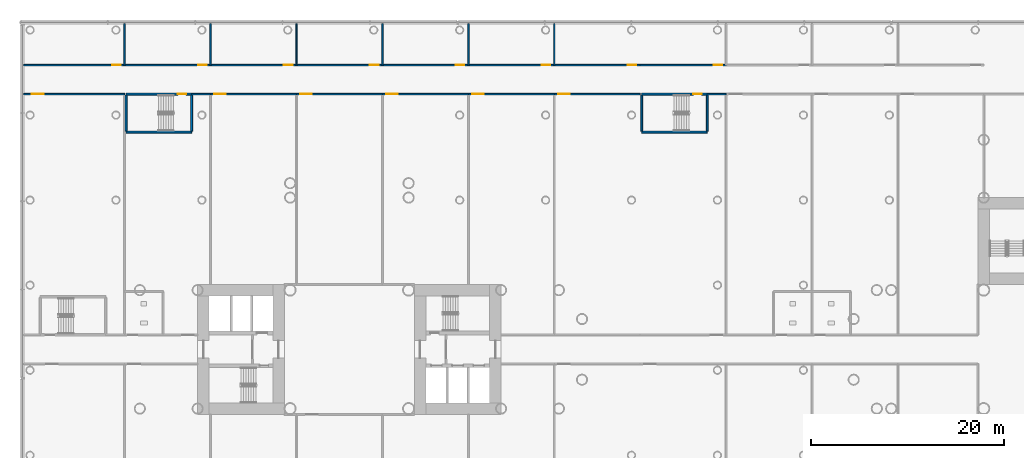
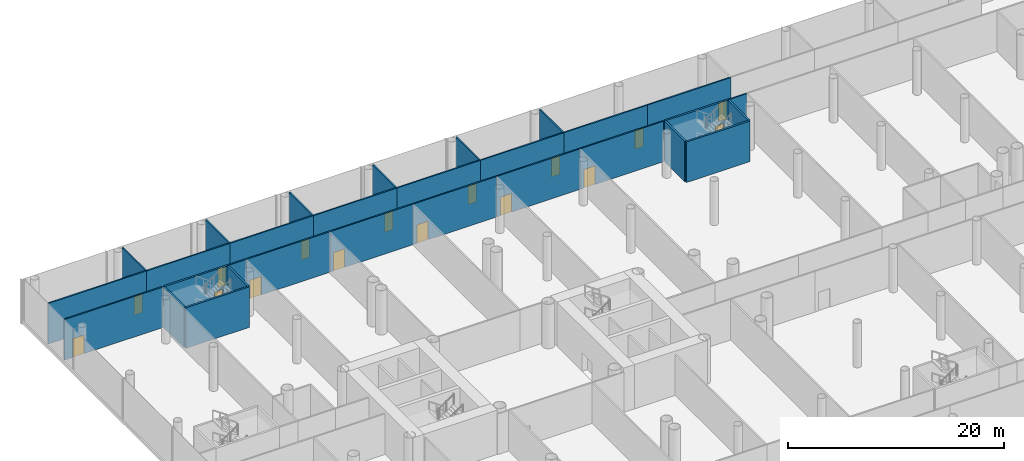
# One storey, part 23 of 59: 30 walls, 16 doors, 16 openings.
"""IFC4 building model written with IfcOpenShell, lengths in metres."""

from ifc_helpers import new_model, si_unit, direction, frame, frame_2d, origin, place, context, subcontext, project, spatial, rectangle, extrude, material, layer, layer_set, type_object, element, fill, save


model = new_model("IFC4")

# Units and contexts
model_context = context("Model", 3, precision=1e-05, world=origin(), true_north=direction((0.0, 1.0)))
body_context = subcontext(model_context, "Body", "Model", "MODEL_VIEW")
ifc_project = project(units=[si_unit("LENGTHUNIT", "METRE"), si_unit("AREAUNIT", "SQUARE_METRE"), si_unit("VOLUMEUNIT", "CUBIC_METRE"), si_unit("PLANEANGLEUNIT", "RADIAN"), si_unit("MASSUNIT", "GRAM", prefix="KILO")], contexts=[model_context])

# Site, building, storey
site_placement = place(None, origin())
site = spatial("IfcSite", under=ifc_project, at=site_placement, CompositionType="ELEMENT")
building_placement = place(site_placement, origin())
building = spatial("IfcBuilding", under=site, at=building_placement, Name="Ipe Terrace Towers", CompositionType="ELEMENT")
storey_placement = place(building_placement, frame((0.0, 0.0, 6.0)))
storey = spatial("IfcBuildingStorey", under=building, at=storey_placement, Name="L01", CompositionType="ELEMENT", Elevation=6.0)

# Wall, opening, door
ifc_material_1 = material(Name="Gypsum board partition", Category="plasterboard")
ifc_layer_1 = layer(ifc_material_1, 0.14990234375)
ifc_layer_set_1 = layer_set([ifc_layer_1], Name="Gypsum board partition 150 mm")
wall_type_1 = type_object("IfcWallType", Name="Gypsum board partition 150 mm", PredefinedType="PARTITIONING", material=ifc_layer_set_1)
wall_1_placement = place(storey_placement, frame((-69.85009765625, 26.5, 0.0), z_axis=(0.0, 0.0, 1.0), x_axis=(1.0, 0.0, 0.0)))
wall_1 = element("IfcWall", 1, at=wall_1_placement, inside=storey, type_object=wall_type_1, Name="Gypsum board partition T1 L01 pd-r2-w7", PredefinedType="PARTITIONING", context=body_context, shape_type="SweptSolid", body=[
    extrude(rectangle(XDim=10.52001953125, YDim=0.14990234375, at=frame_2d((5.260009765625, 0.0))), origin(), (0.0, 0.0, 1.0), 4.580078125),
])
opening_1_placement = place(wall_1_placement, frame((0.89990234375, 0.0, 0.0)))
opening_1 = element("IfcOpeningElement", 2, at=opening_1_placement, cuts=wall_1, Name="Opening PD-L01-r2", PredefinedType="OPENING", context=body_context, shape_type="SweptSolid", body=[
    extrude(rectangle(XDim=1.199951171875, YDim=2.10009765625, at=frame_2d((0.60009765625, 1.050048828125))), frame((0.0, 0.0849609375, 0.0), z_axis=(0.0, -1.0, 0.0), x_axis=(1.0, 0.0, 0.0)), (0.0, 0.0, 1.0), 0.169921875),
])
ifc_material_2 = material(Name="Fire-rated timber door leaf", Category="wood")
door_type_1 = type_object("IfcDoorType", Name="Lounge door 1200 x 2100 FD30S", OperationType="NOTDEFINED", PredefinedType="DOOR", material=ifc_material_2)
door_1_placement = place(opening_1_placement, origin())
door_1 = element("IfcDoor", 3, at=door_1_placement, inside=storey, type_object=door_type_1, Name="Lounge door PD-L01-r2", OperationType="SINGLE_SWING_RIGHT", OverallHeight=2.10009765625, OverallWidth=1.199951171875, PredefinedType="DOOR", context=body_context, shape_type="SweptSolid", body=[
    extrude(rectangle(XDim=1.199951171875, YDim=2.10009765625, at=frame_2d((0.60009765625, 1.050048828125))), frame((0.0, 0.02490234375, 0.0), z_axis=(0.0, -1.0, 0.0), x_axis=(1.0, 0.0, 0.0)), (0.0, 0.0, 1.0), 0.050048828125),
])
fill(opening_1, door_1)

wall_2_placement = place(storey_placement, frame((-59.330078125, 29.5, 0.0), z_axis=(0.0, 0.0, 1.0), x_axis=(-1.0, 0.0, 0.0)))
wall_2 = element("IfcWall", 4, at=wall_2_placement, inside=storey, type_object=wall_type_1, Name="Gypsum board partition T1 L01 pd-r3-w9", PredefinedType="PARTITIONING", context=body_context, shape_type="SweptSolid", body=[
    extrude(rectangle(XDim=10.52001953125, YDim=0.14990234375, at=frame_2d((5.260009765625, 0.0))), origin(), (0.0, 0.0, 1.0), 4.580078125),
])
opening_2_placement = place(wall_2_placement, frame((0.39990234375, 0.0, 0.0)))
opening_2 = element("IfcOpeningElement", 5, at=opening_2_placement, cuts=wall_2, Name="Opening PD-L01-r3", PredefinedType="OPENING", context=body_context, shape_type="SweptSolid", body=[
    extrude(rectangle(XDim=0.89990234375, YDim=2.10009765625, at=frame_2d((0.449951171875, 1.050048828125))), frame((0.0, 0.0849609375, 0.0), z_axis=(0.0, -1.0, 0.0), x_axis=(1.0, 0.0, 0.0)), (0.0, 0.0, 1.0), 0.169921875),
])
ifc_material_3 = material(Name="Fire-rated timber door leaf", Category="wood")
door_type_2 = type_object("IfcDoorType", Name="Lounge door 900 x 2100 FD30S", OperationType="NOTDEFINED", PredefinedType="DOOR", material=ifc_material_3)
door_2_placement = place(opening_2_placement, origin())
door_2 = element("IfcDoor", 6, at=door_2_placement, inside=storey, type_object=door_type_2, Name="Lounge door PD-L01-r3", OperationType="SINGLE_SWING_RIGHT", OverallHeight=2.10009765625, OverallWidth=0.89990234375, PredefinedType="DOOR", context=body_context, shape_type="SweptSolid", body=[
    extrude(rectangle(XDim=0.89990234375, YDim=2.10009765625, at=frame_2d((0.449951171875, 1.050048828125))), frame((0.0, 0.02490234375, 0.0), z_axis=(0.0, -1.0, 0.0), x_axis=(1.0, 0.0, 0.0)), (0.0, 0.0, 1.0), 0.050048828125),
])
fill(opening_2, door_2)

# Wall
wall_3_placement = place(storey_placement, frame((-59.330078125, 33.85009765625, 0.0), z_axis=(0.0, 0.0, 1.0), x_axis=(0.0, -1.0, 0.0)))
element("IfcWall", 7, at=wall_3_placement, inside=storey, type_object=wall_type_1, Name="Gypsum board partition T1 L01 pd-r3-r6-w10", PredefinedType="PARTITIONING", context=body_context, shape_type="SweptSolid", body=[
    extrude(rectangle(XDim=4.35009765625, YDim=0.14990234375, at=frame_2d((2.175048828125, 0.0))), origin(), (0.0, 0.0, 1.0), 4.580078125),
])

# Wall, opening, door
wall_4_placement = place(storey_placement, frame((-50.409912109375, 29.5, 0.0), z_axis=(0.0, 0.0, 1.0), x_axis=(-1.0, 0.0, 0.0)))
wall_4 = element("IfcWall", 8, at=wall_4_placement, inside=storey, type_object=wall_type_1, Name="Gypsum board partition T1 L01 pd-r6-w16", PredefinedType="PARTITIONING", context=body_context, shape_type="SweptSolid", body=[
    extrude(rectangle(XDim=8.920166015625, YDim=0.14990234375, at=frame_2d((4.4599609375, 0.0))), origin(), (0.0, 0.0, 1.0), 4.580078125),
])
opening_3_placement = place(wall_4_placement, frame((0.39990234375, 0.0, 0.0)))
opening_3 = element("IfcOpeningElement", 9, at=opening_3_placement, cuts=wall_4, Name="Opening PD-L01-r6", PredefinedType="OPENING", context=body_context, shape_type="SweptSolid", body=[
    extrude(rectangle(XDim=0.89990234375, YDim=2.10009765625, at=frame_2d((0.449951171875, 1.050048828125))), frame((0.0, 0.0849609375, 0.0), z_axis=(0.0, -1.0, 0.0), x_axis=(1.0, 0.0, 0.0)), (0.0, 0.0, 1.0), 0.169921875),
])
door_3_placement = place(opening_3_placement, origin())
door_3 = element("IfcDoor", 10, at=door_3_placement, inside=storey, type_object=door_type_2, Name="Lounge door PD-L01-r6", OperationType="SINGLE_SWING_RIGHT", OverallHeight=2.10009765625, OverallWidth=0.89990234375, PredefinedType="DOOR", context=body_context, shape_type="SweptSolid", body=[
    extrude(rectangle(XDim=0.89990234375, YDim=2.10009765625, at=frame_2d((0.449951171875, 1.050048828125))), frame((0.0, 0.02490234375, 0.0), z_axis=(0.0, -1.0, 0.0), x_axis=(1.0, 0.0, 0.0)), (0.0, 0.0, 1.0), 0.050048828125),
])
fill(opening_3, door_3)

# Wall
wall_5_placement = place(storey_placement, frame((-52.3701171875, 26.5, 0.0), z_axis=(0.0, 0.0, 1.0), x_axis=(1.0, 0.0, 0.0)))
element("IfcWall", 11, at=wall_5_placement, inside=storey, type_object=wall_type_1, Name="Gypsum board partition T1 L01 pd-r7-w18", PredefinedType="PARTITIONING", context=body_context, shape_type="SweptSolid", body=[
    extrude(rectangle(XDim=1.960205078125, YDim=0.14990234375, at=frame_2d((0.97998046875, 0.0))), origin(), (0.0, 0.0, 1.0), 4.580078125),
])

# Wall, opening, door
wall_6_placement = place(storey_placement, frame((-41.489990234375, 29.5, 0.0), z_axis=(0.0, 0.0, 1.0), x_axis=(-1.0, 0.0, 0.0)))
wall_6 = element("IfcWall", 12, at=wall_6_placement, inside=storey, type_object=wall_type_1, Name="Gypsum board partition T1 L01 pd-r10-w22", PredefinedType="PARTITIONING", context=body_context, shape_type="SweptSolid", body=[
    extrude(rectangle(XDim=8.919921875, YDim=0.14990234375, at=frame_2d((4.4599609375, 0.0))), origin(), (0.0, 0.0, 1.0), 4.580078125),
])
opening_4_placement = place(wall_6_placement, frame((0.39990234375, 0.0, 0.0)))
opening_4 = element("IfcOpeningElement", 13, at=opening_4_placement, cuts=wall_6, Name="Opening PD-L01-r10", PredefinedType="OPENING", context=body_context, shape_type="SweptSolid", body=[
    extrude(rectangle(XDim=0.89990234375, YDim=2.10009765625, at=frame_2d((0.449951171875, 1.050048828125))), frame((0.0, 0.0849609375, 0.0), z_axis=(0.0, -1.0, 0.0), x_axis=(1.0, 0.0, 0.0)), (0.0, 0.0, 1.0), 0.169921875),
])
door_4_placement = place(opening_4_placement, origin())
door_4 = element("IfcDoor", 14, at=door_4_placement, inside=storey, type_object=door_type_2, Name="Lounge door PD-L01-r10", OperationType="SINGLE_SWING_RIGHT", OverallHeight=2.10009765625, OverallWidth=0.89990234375, PredefinedType="DOOR", context=body_context, shape_type="SweptSolid", body=[
    extrude(rectangle(XDim=0.89990234375, YDim=2.10009765625, at=frame_2d((0.449951171875, 1.050048828125))), frame((0.0, 0.02490234375, 0.0), z_axis=(0.0, -1.0, 0.0), x_axis=(1.0, 0.0, 0.0)), (0.0, 0.0, 1.0), 0.050048828125),
])
fill(opening_4, door_4)

# Walls
for number, where, z_axis, x_axis, name in (
    (15, (-50.409912109375, 29.5, 0.0), (0.0, 0.0, 1.0), (0.0, 1.0, 0.0), "Gypsum board partition T1 L01 pd-r10-r6-w23"),
    (16, (-41.489990234375, 33.85009765625, 0.0), (0.0, 0.0, 1.0), (0.0, -1.0, 0.0), "Gypsum board partition T1 L01 pd-r10-r15-w24"),
):
    element("IfcWall", number, at=place(storey_placement, frame(where, z_axis=z_axis, x_axis=x_axis)), inside=storey, type_object=wall_type_1, Name=name, PredefinedType="PARTITIONING", context=body_context, shape_type="SweptSolid", body=[
        extrude(rectangle(XDim=4.35009765625, YDim=0.14990234375, at=frame_2d((2.175048828125, 0.0))), origin(), (0.0, 0.0, 1.0), 4.580078125),
    ])

# Wall, opening, door
wall_7_placement = place(storey_placement, frame((-50.409912109375, 26.5, 0.0), z_axis=(0.0, 0.0, 1.0), x_axis=(1.0, 0.0, 0.0)))
wall_7 = element("IfcWall", 17, at=wall_7_placement, inside=storey, type_object=wall_type_1, Name="Gypsum board partition T1 L01 pd-r11-w25", PredefinedType="PARTITIONING", context=body_context, shape_type="SweptSolid", body=[
    extrude(rectangle(XDim=8.919921875, YDim=0.14990234375, at=frame_2d((4.4599609375, 0.0))), origin(), (0.0, 0.0, 1.0), 4.580078125),
])
opening_5_placement = place(wall_7_placement, frame((0.39990234375, 0.0, 0.0)))
opening_5 = element("IfcOpeningElement", 18, at=opening_5_placement, cuts=wall_7, Name="Opening PD-L01-r11", PredefinedType="OPENING", context=body_context, shape_type="SweptSolid", body=[
    extrude(rectangle(XDim=1.199951171875, YDim=2.10009765625, at=frame_2d((0.60009765625, 1.050048828125))), frame((0.0, 0.0849609375, 0.0), z_axis=(0.0, -1.0, 0.0), x_axis=(1.0, 0.0, 0.0)), (0.0, 0.0, 1.0), 0.169921875),
])
door_5_placement = place(opening_5_placement, origin())
door_5 = element("IfcDoor", 19, at=door_5_placement, inside=storey, type_object=door_type_1, Name="Lounge door PD-L01-r11", OperationType="SINGLE_SWING_RIGHT", OverallHeight=2.10009765625, OverallWidth=1.199951171875, PredefinedType="DOOR", context=body_context, shape_type="SweptSolid", body=[
    extrude(rectangle(XDim=1.199951171875, YDim=2.10009765625, at=frame_2d((0.60009765625, 1.050048828125))), frame((0.0, 0.02490234375, 0.0), z_axis=(0.0, -1.0, 0.0), x_axis=(1.0, 0.0, 0.0)), (0.0, 0.0, 1.0), 0.050048828125),
])
fill(opening_5, door_5)

wall_8_placement = place(storey_placement, frame((-41.489990234375, 26.5, 0.0), z_axis=(0.0, 0.0, 1.0), x_axis=(1.0, 0.0, 0.0)))
wall_8 = element("IfcWall", 20, at=wall_8_placement, inside=storey, type_object=wall_type_1, Name="Gypsum board partition T1 L01 pd-r14-w36", PredefinedType="PARTITIONING", context=body_context, shape_type="SweptSolid", body=[
    extrude(rectangle(XDim=8.919921875, YDim=0.14990234375, at=frame_2d((4.4599609375, 0.0))), origin(), (0.0, 0.0, 1.0), 4.580078125),
])
opening_6_placement = place(wall_8_placement, frame((0.39990234375, 0.0, 0.0)))
opening_6 = element("IfcOpeningElement", 21, at=opening_6_placement, cuts=wall_8, Name="Opening PD-L01-r14", PredefinedType="OPENING", context=body_context, shape_type="SweptSolid", body=[
    extrude(rectangle(XDim=1.199951171875, YDim=2.10009765625, at=frame_2d((0.60009765625, 1.050048828125))), frame((0.0, 0.0849609375, 0.0), z_axis=(0.0, -1.0, 0.0), x_axis=(1.0, 0.0, 0.0)), (0.0, 0.0, 1.0), 0.169921875),
])
door_6_placement = place(opening_6_placement, origin())
door_6 = element("IfcDoor", 22, at=door_6_placement, inside=storey, type_object=door_type_1, Name="Lounge door PD-L01-r14", OperationType="SINGLE_SWING_RIGHT", OverallHeight=2.10009765625, OverallWidth=1.199951171875, PredefinedType="DOOR", context=body_context, shape_type="SweptSolid", body=[
    extrude(rectangle(XDim=1.199951171875, YDim=2.10009765625, at=frame_2d((0.60009765625, 1.050048828125))), frame((0.0, 0.02490234375, 0.0), z_axis=(0.0, -1.0, 0.0), x_axis=(1.0, 0.0, 0.0)), (0.0, 0.0, 1.0), 0.050048828125),
])
fill(opening_6, door_6)

wall_9_placement = place(storey_placement, frame((-32.570068359375, 29.5, 0.0), z_axis=(0.0, 0.0, 1.0), x_axis=(-1.0, 0.0, 0.0)))
wall_9 = element("IfcWall", 23, at=wall_9_placement, inside=storey, type_object=wall_type_1, Name="Gypsum board partition T1 L01 pd-r15-w39", PredefinedType="PARTITIONING", context=body_context, shape_type="SweptSolid", body=[
    extrude(rectangle(XDim=8.919921875, YDim=0.14990234375, at=frame_2d((4.4599609375, 0.0))), origin(), (0.0, 0.0, 1.0), 4.580078125),
])
opening_7_placement = place(wall_9_placement, frame((0.39990234375, 0.0, 0.0)))
opening_7 = element("IfcOpeningElement", 24, at=opening_7_placement, cuts=wall_9, Name="Opening PD-L01-r15", PredefinedType="OPENING", context=body_context, shape_type="SweptSolid", body=[
    extrude(rectangle(XDim=0.89990234375, YDim=2.10009765625, at=frame_2d((0.449951171875, 1.050048828125))), frame((0.0, 0.0849609375, 0.0), z_axis=(0.0, -1.0, 0.0), x_axis=(1.0, 0.0, 0.0)), (0.0, 0.0, 1.0), 0.169921875),
])
door_7_placement = place(opening_7_placement, origin())
door_7 = element("IfcDoor", 25, at=door_7_placement, inside=storey, type_object=door_type_2, Name="Lounge door PD-L01-r15", OperationType="SINGLE_SWING_RIGHT", OverallHeight=2.10009765625, OverallWidth=0.89990234375, PredefinedType="DOOR", context=body_context, shape_type="SweptSolid", body=[
    extrude(rectangle(XDim=0.89990234375, YDim=2.10009765625, at=frame_2d((0.449951171875, 1.050048828125))), frame((0.0, 0.02490234375, 0.0), z_axis=(0.0, -1.0, 0.0), x_axis=(1.0, 0.0, 0.0)), (0.0, 0.0, 1.0), 0.050048828125),
])
fill(opening_7, door_7)

# Wall
wall_10_placement = place(storey_placement, frame((-32.570068359375, 33.85009765625, 0.0), z_axis=(0.0, 0.0, 1.0), x_axis=(0.0, -1.0, 0.0)))
element("IfcWall", 26, at=wall_10_placement, inside=storey, type_object=wall_type_1, Name="Gypsum board partition T1 L01 pd-r15-r19-w40", PredefinedType="PARTITIONING", context=body_context, shape_type="SweptSolid", body=[
    extrude(rectangle(XDim=4.35009765625, YDim=0.14990234375, at=frame_2d((2.175048828125, 0.0))), origin(), (0.0, 0.0, 1.0), 4.580078125),
])

# Wall, opening, door
wall_11_placement = place(storey_placement, frame((-32.570068359375, 26.5, 0.0), z_axis=(0.0, 0.0, 1.0), x_axis=(1.0, 0.0, 0.0)))
wall_11 = element("IfcWall", 27, at=wall_11_placement, inside=storey, type_object=wall_type_1, Name="Gypsum board partition T1 L01 pd-r18-w47", PredefinedType="PARTITIONING", context=body_context, shape_type="SweptSolid", body=[
    extrude(rectangle(XDim=8.920166015625, YDim=0.14990234375, at=frame_2d((4.4599609375, 0.0))), origin(), (0.0, 0.0, 1.0), 4.580078125),
])
opening_8_placement = place(wall_11_placement, frame((0.39990234375, 0.0, 0.0)))
opening_8 = element("IfcOpeningElement", 28, at=opening_8_placement, cuts=wall_11, Name="Opening PD-L01-r18", PredefinedType="OPENING", context=body_context, shape_type="SweptSolid", body=[
    extrude(rectangle(XDim=1.199951171875, YDim=2.10009765625, at=frame_2d((0.60009765625, 1.050048828125))), frame((0.0, 0.0849609375, 0.0), z_axis=(0.0, -1.0, 0.0), x_axis=(1.0, 0.0, 0.0)), (0.0, 0.0, 1.0), 0.169921875),
])
door_8_placement = place(opening_8_placement, origin())
door_8 = element("IfcDoor", 29, at=door_8_placement, inside=storey, type_object=door_type_1, Name="Lounge door PD-L01-r18", OperationType="SINGLE_SWING_RIGHT", OverallHeight=2.10009765625, OverallWidth=1.199951171875, PredefinedType="DOOR", context=body_context, shape_type="SweptSolid", body=[
    extrude(rectangle(XDim=1.199951171875, YDim=2.10009765625, at=frame_2d((0.60009765625, 1.050048828125))), frame((0.0, 0.02490234375, 0.0), z_axis=(0.0, -1.0, 0.0), x_axis=(1.0, 0.0, 0.0)), (0.0, 0.0, 1.0), 0.050048828125),
])
fill(opening_8, door_8)

wall_12_placement = place(storey_placement, frame((-23.64990234375, 29.5, 0.0), z_axis=(0.0, 0.0, 1.0), x_axis=(-1.0, 0.0, 0.0)))
wall_12 = element("IfcWall", 30, at=wall_12_placement, inside=storey, type_object=wall_type_1, Name="Gypsum board partition T1 L01 pd-r19-w49", PredefinedType="PARTITIONING", context=body_context, shape_type="SweptSolid", body=[
    extrude(rectangle(XDim=8.920166015625, YDim=0.14990234375, at=frame_2d((4.4599609375, 0.0))), origin(), (0.0, 0.0, 1.0), 4.580078125),
])
opening_9_placement = place(wall_12_placement, frame((0.39990234375, 0.0, 0.0)))
opening_9 = element("IfcOpeningElement", 31, at=opening_9_placement, cuts=wall_12, Name="Opening PD-L01-r19", PredefinedType="OPENING", context=body_context, shape_type="SweptSolid", body=[
    extrude(rectangle(XDim=0.89990234375, YDim=2.10009765625, at=frame_2d((0.449951171875, 1.050048828125))), frame((0.0, 0.0849609375, 0.0), z_axis=(0.0, -1.0, 0.0), x_axis=(1.0, 0.0, 0.0)), (0.0, 0.0, 1.0), 0.169921875),
])
door_9_placement = place(opening_9_placement, origin())
door_9 = element("IfcDoor", 32, at=door_9_placement, inside=storey, type_object=door_type_2, Name="Lounge door PD-L01-r19", OperationType="SINGLE_SWING_RIGHT", OverallHeight=2.10009765625, OverallWidth=0.89990234375, PredefinedType="DOOR", context=body_context, shape_type="SweptSolid", body=[
    extrude(rectangle(XDim=0.89990234375, YDim=2.10009765625, at=frame_2d((0.449951171875, 1.050048828125))), frame((0.0, 0.02490234375, 0.0), z_axis=(0.0, -1.0, 0.0), x_axis=(1.0, 0.0, 0.0)), (0.0, 0.0, 1.0), 0.050048828125),
])
fill(opening_9, door_9)

# Wall
wall_13_placement = place(storey_placement, frame((-23.64990234375, 33.85009765625, 0.0), z_axis=(0.0, 0.0, 1.0), x_axis=(0.0, -1.0, 0.0)))
element("IfcWall", 33, at=wall_13_placement, inside=storey, type_object=wall_type_1, Name="Gypsum board partition T1 L01 pd-r19-r21-w50", PredefinedType="PARTITIONING", context=body_context, shape_type="SweptSolid", body=[
    extrude(rectangle(XDim=4.35009765625, YDim=0.14990234375, at=frame_2d((2.175048828125, 0.0))), origin(), (0.0, 0.0, 1.0), 4.580078125),
])

# Wall, opening, door
wall_14_placement = place(storey_placement, frame((-14.72998046875, 29.5, 0.0), z_axis=(0.0, 0.0, 1.0), x_axis=(-1.0, 0.0, 0.0)))
wall_14 = element("IfcWall", 34, at=wall_14_placement, inside=storey, type_object=wall_type_1, Name="Gypsum board partition T1 L01 pd-r21-w53", PredefinedType="PARTITIONING", context=body_context, shape_type="SweptSolid", body=[
    extrude(rectangle(XDim=8.919921875, YDim=0.14990234375, at=frame_2d((4.4599609375, 0.0))), origin(), (0.0, 0.0, 1.0), 4.580078125),
])
opening_10_placement = place(wall_14_placement, frame((0.39990234375, 0.0, 0.0)))
opening_10 = element("IfcOpeningElement", 35, at=opening_10_placement, cuts=wall_14, Name="Opening PD-L01-r21", PredefinedType="OPENING", context=body_context, shape_type="SweptSolid", body=[
    extrude(rectangle(XDim=0.89990234375, YDim=2.10009765625, at=frame_2d((0.449951171875, 1.050048828125))), frame((0.0, 0.0849609375, 0.0), z_axis=(0.0, -1.0, 0.0), x_axis=(1.0, 0.0, 0.0)), (0.0, 0.0, 1.0), 0.169921875),
])
door_10_placement = place(opening_10_placement, origin())
door_10 = element("IfcDoor", 36, at=door_10_placement, inside=storey, type_object=door_type_2, Name="Lounge door PD-L01-r21", OperationType="SINGLE_SWING_RIGHT", OverallHeight=2.10009765625, OverallWidth=0.89990234375, PredefinedType="DOOR", context=body_context, shape_type="SweptSolid", body=[
    extrude(rectangle(XDim=0.89990234375, YDim=2.10009765625, at=frame_2d((0.449951171875, 1.050048828125))), frame((0.0, 0.02490234375, 0.0), z_axis=(0.0, -1.0, 0.0), x_axis=(1.0, 0.0, 0.0)), (0.0, 0.0, 1.0), 0.050048828125),
])
fill(opening_10, door_10)

# Wall
wall_15_placement = place(storey_placement, frame((-14.72998046875, 33.85009765625, 0.0), z_axis=(0.0, 0.0, 1.0), x_axis=(0.0, -1.0, 0.0)))
element("IfcWall", 37, at=wall_15_placement, inside=storey, type_object=wall_type_1, Name="Gypsum board partition T1 L01 pd-r21-r27-w54", PredefinedType="PARTITIONING", context=body_context, shape_type="SweptSolid", body=[
    extrude(rectangle(XDim=4.35009765625, YDim=0.14990234375, at=frame_2d((2.175048828125, 0.0))), origin(), (0.0, 0.0, 1.0), 4.580078125),
])

# Wall, opening, door
wall_16_placement = place(storey_placement, frame((-23.64990234375, 26.5, 0.0), z_axis=(0.0, 0.0, 1.0), x_axis=(1.0, 0.0, 0.0)))
wall_16 = element("IfcWall", 38, at=wall_16_placement, inside=storey, type_object=wall_type_1, Name="Gypsum board partition T1 L01 pd-r23-w58", PredefinedType="PARTITIONING", context=body_context, shape_type="SweptSolid", body=[
    extrude(rectangle(XDim=8.919921875, YDim=0.14990234375, at=frame_2d((4.4599609375, 0.0))), origin(), (0.0, 0.0, 1.0), 4.580078125),
])
opening_11_placement = place(wall_16_placement, frame((0.39990234375, 0.0, 0.0)))
opening_11 = element("IfcOpeningElement", 39, at=opening_11_placement, cuts=wall_16, Name="Opening PD-L01-r23", PredefinedType="OPENING", context=body_context, shape_type="SweptSolid", body=[
    extrude(rectangle(XDim=1.199951171875, YDim=2.10009765625, at=frame_2d((0.60009765625, 1.050048828125))), frame((0.0, 0.0849609375, 0.0), z_axis=(0.0, -1.0, 0.0), x_axis=(1.0, 0.0, 0.0)), (0.0, 0.0, 1.0), 0.169921875),
])
door_11_placement = place(opening_11_placement, origin())
door_11 = element("IfcDoor", 40, at=door_11_placement, inside=storey, type_object=door_type_1, Name="Lounge door PD-L01-r23", OperationType="SINGLE_SWING_RIGHT", OverallHeight=2.10009765625, OverallWidth=1.199951171875, PredefinedType="DOOR", context=body_context, shape_type="SweptSolid", body=[
    extrude(rectangle(XDim=1.199951171875, YDim=2.10009765625, at=frame_2d((0.60009765625, 1.050048828125))), frame((0.0, 0.02490234375, 0.0), z_axis=(0.0, -1.0, 0.0), x_axis=(1.0, 0.0, 0.0)), (0.0, 0.0, 1.0), 0.050048828125),
])
fill(opening_11, door_11)

wall_17_placement = place(storey_placement, frame((-14.72998046875, 26.5, 0.0), z_axis=(0.0, 0.0, 1.0), x_axis=(1.0, 0.0, 0.0)))
wall_17 = element("IfcWall", 41, at=wall_17_placement, inside=storey, type_object=wall_type_1, Name="Gypsum board partition T1 L01 pd-r26-w64", PredefinedType="PARTITIONING", context=body_context, shape_type="SweptSolid", body=[
    extrude(rectangle(XDim=8.919921875, YDim=0.14990234375, at=frame_2d((4.4599609375, 0.0))), origin(), (0.0, 0.0, 1.0), 4.580078125),
])
opening_12_placement = place(wall_17_placement, frame((0.39990234375, 0.0, 0.0)))
opening_12 = element("IfcOpeningElement", 42, at=opening_12_placement, cuts=wall_17, Name="Opening PD-L01-r26", PredefinedType="OPENING", context=body_context, shape_type="SweptSolid", body=[
    extrude(rectangle(XDim=1.199951171875, YDim=2.10009765625, at=frame_2d((0.60009765625, 1.050048828125))), frame((0.0, 0.0849609375, 0.0), z_axis=(0.0, -1.0, 0.0), x_axis=(1.0, 0.0, 0.0)), (0.0, 0.0, 1.0), 0.169921875),
])
door_12_placement = place(opening_12_placement, origin())
door_12 = element("IfcDoor", 43, at=door_12_placement, inside=storey, type_object=door_type_1, Name="Lounge door PD-L01-r26", OperationType="SINGLE_SWING_RIGHT", OverallHeight=2.10009765625, OverallWidth=1.199951171875, PredefinedType="DOOR", context=body_context, shape_type="SweptSolid", body=[
    extrude(rectangle(XDim=1.199951171875, YDim=2.10009765625, at=frame_2d((0.60009765625, 1.050048828125))), frame((0.0, 0.02490234375, 0.0), z_axis=(0.0, -1.0, 0.0), x_axis=(1.0, 0.0, 0.0)), (0.0, 0.0, 1.0), 0.050048828125),
])
fill(opening_12, door_12)

wall_18_placement = place(storey_placement, frame((-5.81005859375, 29.5, 0.0), z_axis=(0.0, 0.0, 1.0), x_axis=(-1.0, 0.0, 0.0)))
wall_18 = element("IfcWall", 44, at=wall_18_placement, inside=storey, type_object=wall_type_1, Name="Gypsum board partition T1 L01 pd-r27-w66", PredefinedType="PARTITIONING", context=body_context, shape_type="SweptSolid", body=[
    extrude(rectangle(XDim=8.919921875, YDim=0.14990234375, at=frame_2d((4.4599609375, 0.0))), origin(), (0.0, 0.0, 1.0), 4.580078125),
])
opening_13_placement = place(wall_18_placement, frame((0.39990234375, 0.0, 0.0)))
opening_13 = element("IfcOpeningElement", 45, at=opening_13_placement, cuts=wall_18, Name="Opening PD-L01-r27", PredefinedType="OPENING", context=body_context, shape_type="SweptSolid", body=[
    extrude(rectangle(XDim=0.89990234375, YDim=2.10009765625, at=frame_2d((0.449951171875, 1.050048828125))), frame((0.0, 0.0849609375, 0.0), z_axis=(0.0, -1.0, 0.0), x_axis=(1.0, 0.0, 0.0)), (0.0, 0.0, 1.0), 0.169921875),
])
door_13_placement = place(opening_13_placement, origin())
door_13 = element("IfcDoor", 46, at=door_13_placement, inside=storey, type_object=door_type_2, Name="Lounge door PD-L01-r27", OperationType="SINGLE_SWING_RIGHT", OverallHeight=2.10009765625, OverallWidth=0.89990234375, PredefinedType="DOOR", context=body_context, shape_type="SweptSolid", body=[
    extrude(rectangle(XDim=0.89990234375, YDim=2.10009765625, at=frame_2d((0.449951171875, 1.050048828125))), frame((0.0, 0.02490234375, 0.0), z_axis=(0.0, -1.0, 0.0), x_axis=(1.0, 0.0, 0.0)), (0.0, 0.0, 1.0), 0.050048828125),
])
fill(opening_13, door_13)

wall_19_placement = place(storey_placement, frame((3.110107421875, 29.5, 0.0), z_axis=(0.0, 0.0, 1.0), x_axis=(-1.0, 0.0, 0.0)))
wall_19 = element("IfcWall", 47, at=wall_19_placement, inside=storey, type_object=wall_type_1, Name="Gypsum board partition T2 L01 pd-r29-w2", PredefinedType="PARTITIONING", context=body_context, shape_type="SweptSolid", body=[
    extrude(rectangle(XDim=8.920166015625, YDim=0.14990234375, at=frame_2d((4.4599609375, 0.0))), origin(), (0.0, 0.0, 1.0), 4.580078125),
])
opening_14_placement = place(wall_19_placement, frame((0.39990234375, 0.0, 0.0)))
opening_14 = element("IfcOpeningElement", 48, at=opening_14_placement, cuts=wall_19, Name="Opening PD-L01-r29", PredefinedType="OPENING", context=body_context, shape_type="SweptSolid", body=[
    extrude(rectangle(XDim=0.89990234375, YDim=2.10009765625, at=frame_2d((0.449951171875, 1.050048828125))), frame((0.0, 0.0849609375, 0.0), z_axis=(0.0, -1.0, 0.0), x_axis=(1.0, 0.0, 0.0)), (0.0, 0.0, 1.0), 0.169921875),
])
door_14_placement = place(opening_14_placement, origin())
door_14 = element("IfcDoor", 49, at=door_14_placement, inside=storey, type_object=door_type_2, Name="Lounge door PD-L01-r29", OperationType="SINGLE_SWING_RIGHT", OverallHeight=2.10009765625, OverallWidth=0.89990234375, PredefinedType="DOOR", context=body_context, shape_type="SweptSolid", body=[
    extrude(rectangle(XDim=0.89990234375, YDim=2.10009765625, at=frame_2d((0.449951171875, 1.050048828125))), frame((0.0, 0.02490234375, 0.0), z_axis=(0.0, -1.0, 0.0), x_axis=(1.0, 0.0, 0.0)), (0.0, 0.0, 1.0), 0.050048828125),
])
fill(opening_14, door_14)

# Wall
wall_20_placement = place(storey_placement, frame((1.14990234375, 26.5, 0.0), z_axis=(0.0, 0.0, 1.0), x_axis=(1.0, 0.0, 0.0)))
element("IfcWall", 50, at=wall_20_placement, inside=storey, type_object=wall_type_1, Name="Gypsum board partition T2 L01 pd-r31-w7", PredefinedType="PARTITIONING", context=body_context, shape_type="SweptSolid", body=[
    extrude(rectangle(XDim=1.960205078125, YDim=0.14990234375, at=frame_2d((0.97998046875, 0.0))), origin(), (0.0, 0.0, 1.0), 4.580078125),
])

# Wall, opening, door
ifc_material_4 = material(Name="Concrete C40/50", Category="concrete")
ifc_layer_2 = layer(ifc_material_4, 0.199951171875)
ifc_layer_set_2 = layer_set([ifc_layer_2], Name="RW200 PODIUM STAIR SHAFT WALL 200 C40-50")
wall_type_2 = type_object("IfcWallType", Name="RW200 PODIUM STAIR SHAFT WALL 200 C40-50", PredefinedType="SHEAR", material=ifc_layer_set_2)
wall_21_placement = place(storey_placement, frame((-59.169921875, 26.5, 0.0), z_axis=(0.0, 0.0, 1.0), x_axis=(1.0, 0.0, 0.0)))
wall_21 = element("IfcWall", 51, at=wall_21_placement, inside=storey, type_object=wall_type_2, Name="Stair shaft wall T1 L01 ps1-c", PredefinedType="SHEAR", context=body_context, shape_type="SweptSolid", body=[
    extrude(rectangle(XDim=6.7998046875, YDim=0.199951171875, at=frame_2d((3.39990234375, 0.0))), origin(), (0.0, 0.0, 1.0), 4.580078125),
])
opening_15_placement = place(wall_21_placement, frame((5.35009765625, 0.0, 0.0)))
opening_15 = element("IfcOpeningElement", 52, at=opening_15_placement, cuts=wall_21, Name="Opening PS1-SD", PredefinedType="OPENING", context=body_context, shape_type="SweptSolid", body=[
    extrude(rectangle(XDim=0.89990234375, YDim=2.10009765625, at=frame_2d((0.449951171875, 1.050048828125))), frame((0.0, 0.10986328125, 0.0), z_axis=(0.0, -1.0, 0.0), x_axis=(1.0, 0.0, 0.0)), (0.0, 0.0, 1.0), 0.219970703125),
])
ifc_material_5 = material(Name="Fire-rated timber door leaf", Category="wood")
door_type_3 = type_object("IfcDoorType", Name="Stair door 900 x 2100 FD60", OperationType="NOTDEFINED", PredefinedType="DOOR", material=ifc_material_5)
door_15_placement = place(opening_15_placement, origin())
door_15 = element("IfcDoor", 53, at=door_15_placement, inside=storey, type_object=door_type_3, Name="Stair door PS1-SD", OperationType="SINGLE_SWING_LEFT", OverallHeight=2.10009765625, OverallWidth=0.89990234375, PredefinedType="DOOR", context=body_context, shape_type="SweptSolid", body=[
    extrude(rectangle(XDim=0.89990234375, YDim=2.10009765625, at=frame_2d((0.449951171875, 1.050048828125))), frame((0.0, 0.02490234375, 0.0), z_axis=(0.0, -1.0, 0.0), x_axis=(1.0, 0.0, 0.0)), (0.0, 0.0, 1.0), 0.050048828125),
])
fill(opening_15, door_15)

# Walls
wall_22_placement = place(storey_placement, frame((-59.169921875, 22.550048828125, 0.0), z_axis=(0.0, 0.0, 1.0), x_axis=(1.0, 0.0, 0.0)))
element("IfcWall", 54, at=wall_22_placement, inside=storey, type_object=wall_type_2, Name="Stair shaft wall T1 L01 ps1-f", PredefinedType="SHEAR", context=body_context, shape_type="SweptSolid", body=[
    extrude(rectangle(XDim=6.7998046875, YDim=0.199951171875, at=frame_2d((3.39990234375, 0.0))), origin(), (0.0, 0.0, 1.0), 4.580078125),
])
for number, where, z_axis, x_axis, name in (
    (55, (-59.169921875, 22.64990234375, 0.0), (0.0, 0.0, 1.0), (0.0, 1.0, 0.0), "Stair shaft wall T1 L01 ps1-w"),
    (56, (-52.3701171875, 22.64990234375, 0.0), (0.0, 0.0, 1.0), (0.0, 1.0, 0.0), "Stair shaft wall T1 L01 ps1-e"),
):
    element("IfcWall", number, at=place(storey_placement, frame(where, z_axis=z_axis, x_axis=x_axis)), inside=storey, type_object=wall_type_2, Name=name, PredefinedType="SHEAR", context=body_context, shape_type="SweptSolid", body=[
        extrude(rectangle(XDim=3.75, YDim=0.199951171875, at=frame_2d((1.875, 0.0))), origin(), (0.0, 0.0, 1.0), 4.580078125),
    ])

# Wall, opening, door
wall_23_placement = place(storey_placement, frame((-5.64990234375, 26.5, 0.0), z_axis=(0.0, 0.0, 1.0), x_axis=(1.0, 0.0, 0.0)))
wall_23 = element("IfcWall", 57, at=wall_23_placement, inside=storey, type_object=wall_type_2, Name="Stair shaft wall T1 L01 ps2-c", PredefinedType="SHEAR", context=body_context, shape_type="SweptSolid", body=[
    extrude(rectangle(XDim=6.7998046875, YDim=0.199951171875, at=frame_2d((3.39990234375, 0.0))), origin(), (0.0, 0.0, 1.0), 4.580078125),
])
opening_16_placement = place(wall_23_placement, frame((5.35009765625, 0.0, 0.0)))
opening_16 = element("IfcOpeningElement", 58, at=opening_16_placement, cuts=wall_23, Name="Opening PS2-SD", PredefinedType="OPENING", context=body_context, shape_type="SweptSolid", body=[
    extrude(rectangle(XDim=0.89990234375, YDim=2.10009765625, at=frame_2d((0.449951171875, 1.050048828125))), frame((0.0, 0.10986328125, 0.0), z_axis=(0.0, -1.0, 0.0), x_axis=(1.0, 0.0, 0.0)), (0.0, 0.0, 1.0), 0.219970703125),
])
door_16_placement = place(opening_16_placement, origin())
door_16 = element("IfcDoor", 59, at=door_16_placement, inside=storey, type_object=door_type_3, Name="Stair door PS2-SD", OperationType="SINGLE_SWING_LEFT", OverallHeight=2.10009765625, OverallWidth=0.89990234375, PredefinedType="DOOR", context=body_context, shape_type="SweptSolid", body=[
    extrude(rectangle(XDim=0.89990234375, YDim=2.10009765625, at=frame_2d((0.449951171875, 1.050048828125))), frame((0.0, 0.02490234375, 0.0), z_axis=(0.0, -1.0, 0.0), x_axis=(1.0, 0.0, 0.0)), (0.0, 0.0, 1.0), 0.050048828125),
])
fill(opening_16, door_16)

# Walls
wall_24_placement = place(storey_placement, frame((-5.64990234375, 22.550048828125, 0.0), z_axis=(0.0, 0.0, 1.0), x_axis=(1.0, 0.0, 0.0)))
element("IfcWall", 60, at=wall_24_placement, inside=storey, type_object=wall_type_2, Name="Stair shaft wall T1 L01 ps2-f", PredefinedType="SHEAR", context=body_context, shape_type="SweptSolid", body=[
    extrude(rectangle(XDim=6.7998046875, YDim=0.199951171875, at=frame_2d((3.39990234375, 0.0))), origin(), (0.0, 0.0, 1.0), 4.580078125),
])
for number, where, z_axis, x_axis, name in (
    (61, (-5.64990234375, 22.64990234375, 0.0), (0.0, 0.0, 1.0), (0.0, 1.0, 0.0), "Stair shaft wall T1 L01 ps2-w"),
    (62, (1.14990234375, 22.64990234375, 0.0), (0.0, 0.0, 1.0), (0.0, 1.0, 0.0), "Stair shaft wall T1 L01 ps2-e"),
):
    element("IfcWall", number, at=place(storey_placement, frame(where, z_axis=z_axis, x_axis=x_axis)), inside=storey, type_object=wall_type_2, Name=name, PredefinedType="SHEAR", context=body_context, shape_type="SweptSolid", body=[
        extrude(rectangle(XDim=3.75, YDim=0.199951171875, at=frame_2d((1.875, 0.0))), origin(), (0.0, 0.0, 1.0), 4.580078125),
    ])

save(model, "model.ifc")
